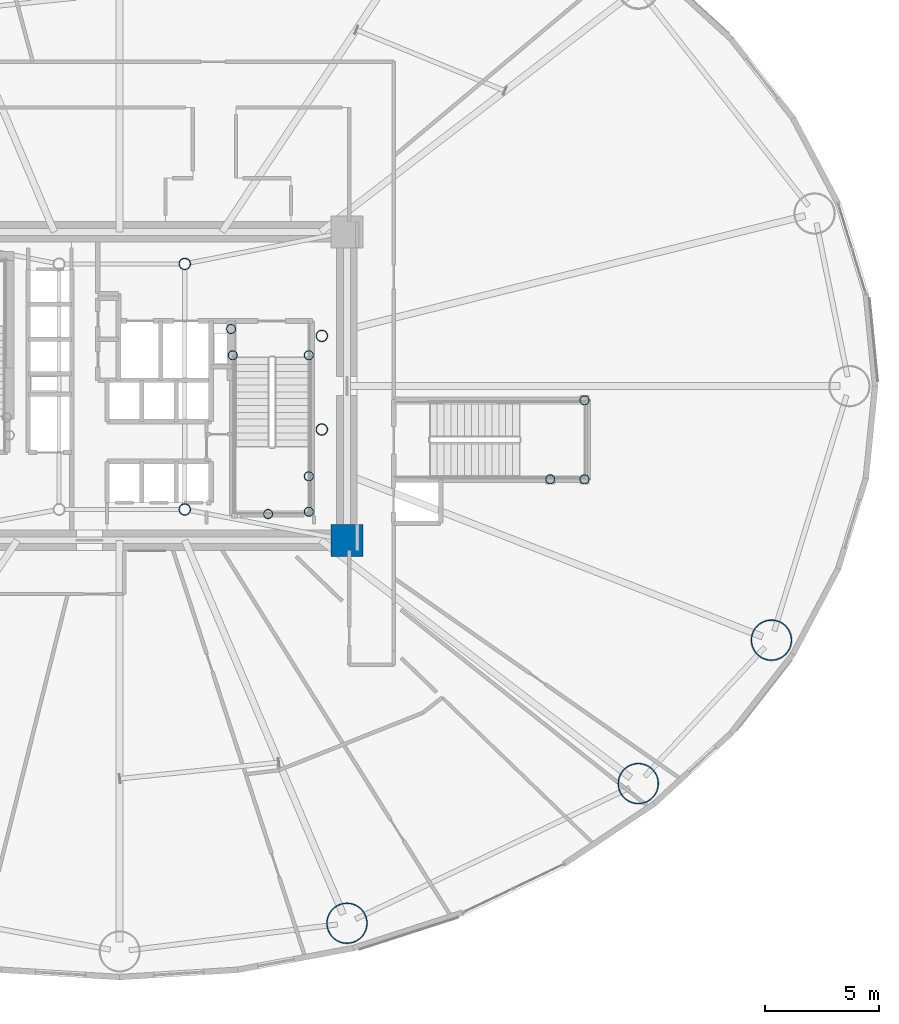
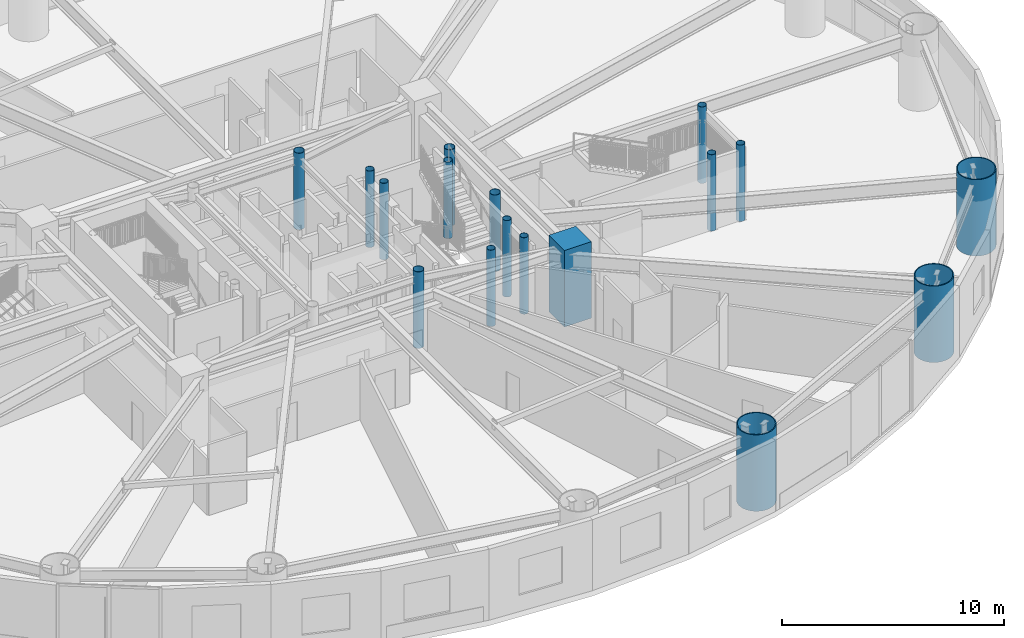
# One storey, part 2 of 30: 17 columns.
"""IFC4 building model written with IfcOpenShell, lengths in metres."""

from ifc_helpers import new_model, si_unit, direction, frame, origin, origin_2d, place, context, subcontext, project, spatial, rectangle, hollow_circle, extrude, material, material_profile, profile_set, type_object, element, save


model = new_model("IFC4")

# Units and contexts
model_context = context("Model", 3, precision=1e-05, world=origin(), true_north=direction((0.0, 1.0)))
body_context = subcontext(model_context, "Body", "Model", "MODEL_VIEW")
ifc_project = project(units=[si_unit("LENGTHUNIT", "METRE"), si_unit("AREAUNIT", "SQUARE_METRE"), si_unit("VOLUMEUNIT", "CUBIC_METRE"), si_unit("PLANEANGLEUNIT", "RADIAN"), si_unit("MASSUNIT", "GRAM", prefix="KILO")], contexts=[model_context])

# Site, building, storey
site_placement = place(None, origin())
site = spatial("IfcSite", under=ifc_project, at=site_placement, CompositionType="ELEMENT")
building_placement = place(site_placement, origin())
building = spatial("IfcBuilding", under=site, at=building_placement, Name="Linh Dai School and Residence Tower", CompositionType="ELEMENT")
storey_placement = place(building_placement, frame((0.0, 0.0, 10.199951171875)))
storey = spatial("IfcBuildingStorey", under=building, at=storey_placement, Name="L02", CompositionType="ELEMENT", Elevation=10.199951171875)

# Columns
ifc_material_1 = material(Name="Concrete B60 (C50/60)", Category="concrete")
ifc_material_profile_1 = material_profile(ifc_material_1, rectangle(XDim=1.39990234375, YDim=1.39990234375, at=origin_2d()), Name="RC 1400x1400")
ifc_profile_set_1 = profile_set([ifc_material_profile_1], Name="Concrete B60 (C50/60)")
column_type_1 = type_object("IfcColumnType", Name="COL-CC1", PredefinedType="COLUMN", material=ifc_profile_set_1)
column_placement = place(storey_placement, frame((45.949951171875, 20.25, 0.0), z_axis=(0.0, 0.0, 1.0), x_axis=(1.0, 0.0, 0.0)))
element("IfcColumn", 1, at=column_placement, inside=storey, type_object=column_type_1, Name="L02 Core Corner Pier CC2", PredefinedType="COLUMN", context=body_context, shape_type="SweptSolid", body=[
    extrude(rectangle(XDim=1.39990234375, YDim=1.39990234375, at=origin_2d()), origin(), (0.0, 0.0, 1.0), 4.199951171875),
])
ifc_material_2 = material(Name="Structural Steel S355JR", Category="steel")
ifc_material_profile_2 = material_profile(ifc_material_2, hollow_circle(Radius=0.203125, WallThickness=0.01611328125, at=origin_2d()), Name="CHS 406.4x16")
ifc_profile_set_2 = profile_set([ifc_material_profile_2], Name="Structural Steel S355JR")
column_type_2 = type_object("IfcColumnType", Name="COL-EC", PredefinedType="COLUMN", material=ifc_profile_set_2)
for number, where, z_axis, x_axis, name in (
    (2, (44.280029296875, 21.5, 0.0), (0.0, 0.0, 1.0), (1.0, 0.0, 0.0), "L02 Stair Shaft Landing Support Pier ST2SE"),
    (3, (44.280029296875, 23.050048828125, 0.0), (0.0, 0.0, 1.0), (1.0, 0.0, 0.0), "L02 Stair Shaft Landing Support Pier ST2NE"),
    (4, (42.5, 21.39990234375, 0.0), (0.0, 0.0, 1.0), (1.0, 0.0, 0.0), "L02 Stair Shaft Landing Support Pier ST2MS"),
    (5, (40.949951171875, 28.35009765625, 0.0), (0.0, 0.0, 1.0), (1.0, 0.0, 0.0), "L02 Stair Shaft Landing Support Pier ST2N1"),
    (6, (44.280029296875, 28.35009765625, 0.0), (0.0, 0.0, 1.0), (1.0, 0.0, 0.0), "L02 Stair Shaft Landing Support Pier ST2N2"),
    (7, (40.8798828125, 29.5, 0.0), (0.0, 0.0, 1.0), (1.0, 0.0, 0.0), "L02 Stair Shaft Landing Support Pier ST2N3"),
    (8, (56.35009765625, 26.3798828125, 0.0), (0.0, 0.0, 1.0), (1.0, 0.0, 0.0), "L02 Stair Shaft Landing Support Pier STS2NE"),
    (9, (56.35009765625, 22.919921875, 0.0), (0.0, 0.0, 1.0), (1.0, 0.0, 0.0), "L02 Stair Shaft Landing Support Pier STS2SE"),
    (10, (54.85009765625, 22.919921875, 0.0), (0.0, 0.0, 1.0), (1.0, 0.0, 0.0), "L02 Stair Shaft Landing Support Pier STS2MW"),
):
    element("IfcColumn", number, at=place(storey_placement, frame(where, z_axis=z_axis, x_axis=x_axis)), inside=storey, type_object=column_type_2, Name=name, PredefinedType="COLUMN", context=body_context, shape_type="SweptSolid", body=[
        extrude(hollow_circle(Radius=0.203125, WallThickness=0.01611328125, at=origin_2d()), origin(), (0.0, 0.0, 1.0), 4.199951171875),
    ])
ifc_material_profile_3 = material_profile(ifc_material_2, hollow_circle(Radius=0.89990234375, WallThickness=0.050048828125, at=origin_2d()), Name="CHS 1800x50")
ifc_profile_set_3 = profile_set([ifc_material_profile_3], Name="Structural Steel S355JR")
column_type_3 = type_object("IfcColumnType", Name="COL-MC1", PredefinedType="COLUMN", material=ifc_profile_set_3)
for number, where, z_axis, x_axis, name in (
    (11, (45.951171875, 3.48388671875, 0.0), (0.0, 0.0, 1.0), (1.0, 0.0, 0.0), "L02 Perimeter CFT Mega-Column MC14"),
    (12, (58.705322265625, 9.599365234375, 0.0), (0.0, 0.0, 1.0), (1.0, 0.0, 0.0), "L02 Perimeter CFT Mega-Column MC15"),
    (13, (64.53369140625, 15.8779296875, 0.0), (0.0, 0.0, 1.0), (1.0, 0.0, 0.0), "L02 Perimeter CFT Mega-Column MC16"),
):
    element("IfcColumn", number, at=place(storey_placement, frame(where, z_axis=z_axis, x_axis=x_axis)), inside=storey, type_object=column_type_3, Name=name, PredefinedType="COLUMN", context=body_context, shape_type="SweptSolid", body=[
        extrude(hollow_circle(Radius=0.89990234375, WallThickness=0.050048828125, at=origin_2d()), origin(), (0.0, 0.0, 1.0), 4.199951171875),
    ])
ifc_material_profile_4 = material_profile(ifc_material_2, hollow_circle(Radius=0.25390625, WallThickness=0.02001953125, at=origin_2d()), Name="CHS 508x20")
ifc_profile_set_4 = profile_set([ifc_material_profile_4], Name="Structural Steel S355JR")
column_type_4 = type_object("IfcColumnType", Name="COL-MCP", PredefinedType="COLUMN", material=ifc_profile_set_4)
for number, where, z_axis, x_axis, name in (
    (14, (38.85009765625, 21.60009765625, 0.0), (0.0, 0.0, 1.0), (1.0, 0.0, 0.0), "L02 Core Mast Support Pier MCP2"),
    (15, (38.85009765625, 32.35009765625, 0.0), (0.0, 0.0, 1.0), (1.0, 0.0, 0.0), "L02 Core Mast Support Pier MCP3"),
    (16, (44.85009765625, 25.10009765625, 0.0), (0.0, 0.0, 1.0), (1.0, 0.0, 0.0), "L02 Sky-Lounge Core Anchor Pier S"),
    (17, (44.85009765625, 29.199951171875, 0.0), (0.0, 0.0, 1.0), (1.0, 0.0, 0.0), "L02 Sky-Lounge Core Anchor Pier N"),
):
    element("IfcColumn", number, at=place(storey_placement, frame(where, z_axis=z_axis, x_axis=x_axis)), inside=storey, type_object=column_type_4, Name=name, PredefinedType="COLUMN", context=body_context, shape_type="SweptSolid", body=[
        extrude(hollow_circle(Radius=0.25390625, WallThickness=0.02001953125, at=origin_2d()), origin(), (0.0, 0.0, 1.0), 4.199951171875),
    ])

save(model, "model.ifc")
